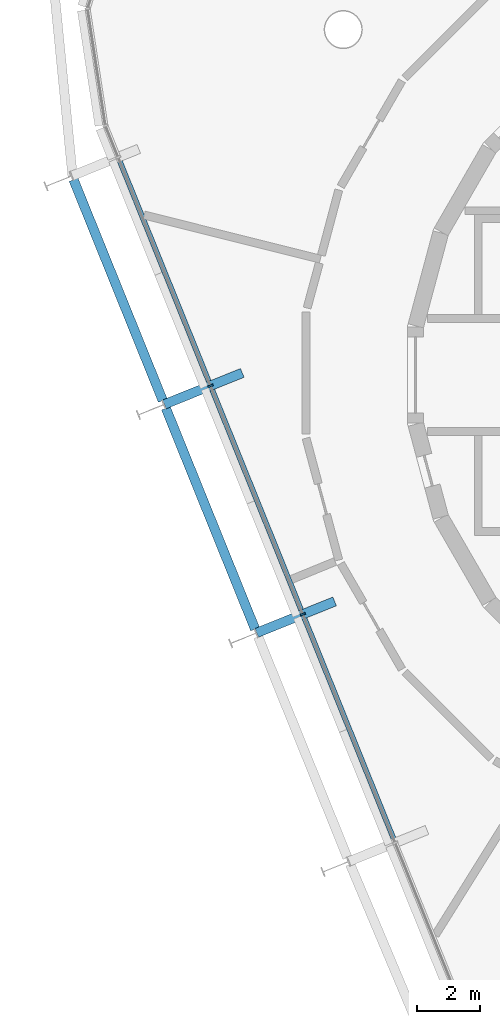
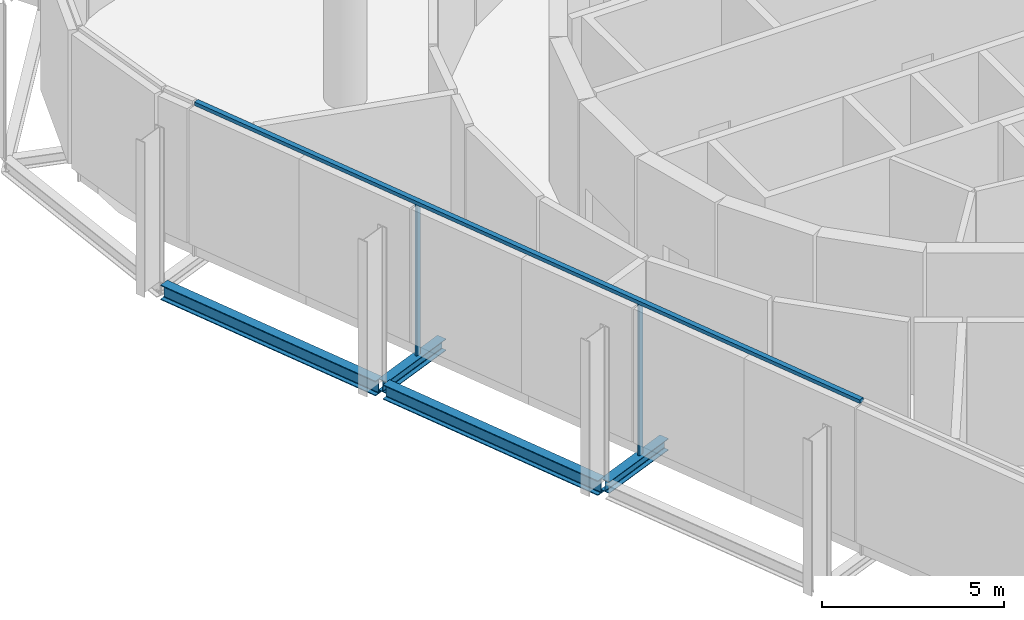
# One storey, part 3 of 12: 4 beams, 3 members, 1 element without a shape of its own.
"""IFC4 building model written with IfcOpenShell, lengths in metres."""

from ifc_helpers import new_model, si_unit, direction, frame, origin, origin_2d, place, context, subcontext, project, spatial, rectangle, i_section, extrude, material, layer, layer_set, material_profile, profile_set, type_object, element, aggregate, save


model = new_model("IFC4")

# Units and contexts
model_context = context("Model", 3, precision=1e-05, world=origin(), true_north=direction((0.0, 1.0)))
body_context = subcontext(model_context, "Body", "Model", "MODEL_VIEW")
ifc_project = project(units=[si_unit("LENGTHUNIT", "METRE"), si_unit("AREAUNIT", "SQUARE_METRE"), si_unit("VOLUMEUNIT", "CUBIC_METRE"), si_unit("PLANEANGLEUNIT", "RADIAN"), si_unit("MASSUNIT", "GRAM", prefix="KILO")], contexts=[model_context])

# Site, building, storey
site_placement = place(None, origin())
site = spatial("IfcSite", under=ifc_project, at=site_placement, CompositionType="ELEMENT")
building_placement = place(site_placement, origin())
building = spatial("IfcBuilding", under=site, at=building_placement, Name="Spindle Arch Residences", CompositionType="ELEMENT")
storey_placement = place(building_placement, frame((0.0, 0.0, 361.0)))
storey = spatial("IfcBuildingStorey", under=building, at=storey_placement, Name="L93", CompositionType="ELEMENT", Elevation=361.0)

# Curtain wall, members
ifc_material_1 = material(Name="Aluminium bronze unitised frame with tinted glass", Category="aluminium")
ifc_layer = layer(ifc_material_1, 0.159912109375)
ifc_layer_set = layer_set([ifc_layer], Name="CW-F crown plant glazed wall")
curtain_wall_type = type_object("IfcCurtainWallType", Name="CW-F crown plant glazed wall", PredefinedType="NOTDEFINED", material=ifc_layer_set)
curtain_wall_placement = place(storey_placement, origin())
curtain_wall = element("IfcCurtainWall", 1, at=curtain_wall_placement, inside=storey, type_object=curtain_wall_type, Name="CW-F L93 run 4", PredefinedType="NOTDEFINED")
ifc_material_2 = material(Name="Aluminium bronze anodised mullion", Category="aluminium")
ifc_material_profile_1 = material_profile(ifc_material_2, rectangle(XDim=0.159912109375, YDim=0.06005859375, at=origin_2d()), Name="MU 60x160")
ifc_profile_set_1 = profile_set([ifc_material_profile_1], Name="Aluminium bronze anodised mullion")
member_type_1 = type_object("IfcMemberType", Name="Bronze mullion 60x160", PredefinedType="MULLION", material=ifc_profile_set_1)
member_1_placement = place(storey_placement, frame((-18.110595703125, -0.337646484375, -0.3798828125), z_axis=(0.0, 0.0, 1.0), x_axis=(0.927183854567, 0.374606593416, 0.0)))
member_1 = element("IfcMember", 2, at=member_1_placement, type_object=member_type_1, Name="CW-F mullion 12", PredefinedType="MULLION", context=body_context, shape_type="SweptSolid", body=[
    extrude(rectangle(XDim=0.159912109375, YDim=0.06005859375, at=origin_2d()), origin(), (0.0, 0.0, 1.0), 5.079833984375),
])
member_2_placement = place(storey_placement, frame((-15.20166015625, -7.537841796875, -0.3798828125), z_axis=(0.0, 0.0, 1.0), x_axis=(0.927183854567, 0.374606593416, 0.0)))
member_2 = element("IfcMember", 3, at=member_2_placement, type_object=member_type_1, Name="CW-F mullion 13", PredefinedType="MULLION", context=body_context, shape_type="SweptSolid", body=[
    extrude(rectangle(XDim=0.159912109375, YDim=0.06005859375, at=origin_2d()), origin(), (0.0, 0.0, 1.0), 5.079833984375),
])
ifc_material_3 = material(Name="Aluminium bronze anodised transom", Category="aluminium")
ifc_material_profile_2 = material_profile(ifc_material_3, rectangle(XDim=0.159912109375, YDim=0.1201171875, at=origin_2d()), Name="TR 120x160")
ifc_profile_set_2 = profile_set([ifc_material_profile_2], Name="Aluminium bronze anodised transom")
member_type_2 = type_object("IfcMemberType", Name="Bronze transom 120x160", PredefinedType="USERDEFINED", material=ifc_profile_set_2)
member_3_placement = place(storey_placement, frame((-21.008544921875, 6.834716796875, 4.760009765625), z_axis=(0.374602019708, -0.927185702452, 0.0), x_axis=(0.927185702452, 0.374602019708, 0.0)))
member_3 = element("IfcMember", 4, at=member_3_placement, type_object=member_type_2, Name="CW-F transom 00", ObjectType="TRANSOM", PredefinedType="USERDEFINED", context=body_context, shape_type="SweptSolid", body=[
    extrude(rectangle(XDim=0.159912109375, YDim=0.1201171875, at=origin_2d()), origin(), (0.0, 0.0, 1.0), 23.23681640625),
])
aggregate(curtain_wall, [member_3, member_1, member_2])

# Beams
ifc_material_4 = material(Name="Steel S460ML, intumescent coating R 120", Category="steel")
ifc_material_profile_3 = material_profile(ifc_material_4, i_section(OverallWidth=0.300048828125, OverallDepth=0.5, WebThickness=0.014404296875, FlangeThickness=0.028076171875, FilletRadius=0.027099609375, at=origin_2d()), Name="HEB 500")
ifc_profile_set_3 = profile_set([ifc_material_profile_3], Name="Steel S460ML, intumescent coating R 120")
beam_type_1 = type_object("IfcBeamType", Name="Exoskeleton edge beam HEB 500", PredefinedType="BEAM", material=ifc_profile_set_3)
beam_1_placement = place(storey_placement, frame((-22.4267578125, 6.15380859375, -0.6298828125), z_axis=(0.374613092792, -0.927181228622, 0.0), x_axis=(0.927181228622, 0.374613092792, 0.0)))
element("IfcBeam", 5, at=beam_1_placement, inside=storey, type_object=beam_type_1, Name="Exoskeleton edge beam 12", PredefinedType="BEAM", context=body_context, shape_type="SweptSolid", body=[
    extrude(i_section(OverallWidth=0.300048828125, OverallDepth=0.5, WebThickness=0.014404296875, FlangeThickness=0.028076171875, FilletRadius=0.027099609375, at=origin_2d()), origin(), (0.0, 0.0, 1.0), 7.505859375),
])
beam_2_placement = place(storey_placement, frame((-19.517578125, -1.04638671875, -0.6298828125), z_axis=(0.374596427458, -0.927187961816, 0.0), x_axis=(0.927187961816, 0.374596427458, 0.0)))
element("IfcBeam", 6, at=beam_2_placement, inside=storey, type_object=beam_type_1, Name="Exoskeleton edge beam 13", PredefinedType="BEAM", context=body_context, shape_type="SweptSolid", body=[
    extrude(i_section(OverallWidth=0.300048828125, OverallDepth=0.5, WebThickness=0.014404296875, FlangeThickness=0.028076171875, FilletRadius=0.027099609375, at=origin_2d()), origin(), (0.0, 0.0, 1.0), 7.50537109375),
])
ifc_material_5 = material(Name="Steel S460ML, intumescent coating R 120", Category="steel")
ifc_material_profile_4 = material_profile(ifc_material_5, i_section(OverallWidth=0.300048828125, OverallDepth=0.389892578125, WebThickness=0.010986328125, FlangeThickness=0.01904296875, FilletRadius=0.027099609375, at=origin_2d()), Name="HEA 400")
ifc_profile_set_4 = profile_set([ifc_material_profile_4], Name="Steel S460ML, intumescent coating R 120")
beam_type_2 = type_object("IfcBeamType", Name="Floor outrigger HEA 400", PredefinedType="BEAM", material=ifc_profile_set_4)
beam_3_placement = place(storey_placement, frame((-19.56640625, -0.92578125, -0.574951171875), z_axis=(0.927187692393, 0.374597094323, 0.0), x_axis=(-0.374597094323, 0.927187692393, 0.0)))
element("IfcBeam", 7, at=beam_3_placement, inside=storey, type_object=beam_type_2, Name="Floor outrigger 13", PredefinedType="BEAM", context=body_context, shape_type="SweptSolid", body=[
    extrude(i_section(OverallWidth=0.300048828125, OverallDepth=0.389892578125, WebThickness=0.010986328125, FlangeThickness=0.01904296875, FilletRadius=0.027099609375, at=origin_2d()), origin(), (0.0, 0.0, 1.0), 2.64990234375),
])
beam_4_placement = place(storey_placement, frame((-16.657470703125, -8.1259765625, -0.574951171875), z_axis=(0.927200618573, 0.374565098372, 0.0), x_axis=(-0.374565098372, 0.927200618573, 0.0)))
element("IfcBeam", 8, at=beam_4_placement, inside=storey, type_object=beam_type_2, Name="Floor outrigger 14", PredefinedType="BEAM", context=body_context, shape_type="SweptSolid", body=[
    extrude(i_section(OverallWidth=0.300048828125, OverallDepth=0.389892578125, WebThickness=0.010986328125, FlangeThickness=0.01904296875, FilletRadius=0.027099609375, at=origin_2d()), origin(), (0.0, 0.0, 1.0), 2.650146484375),
])

save(model, "model.ifc")
